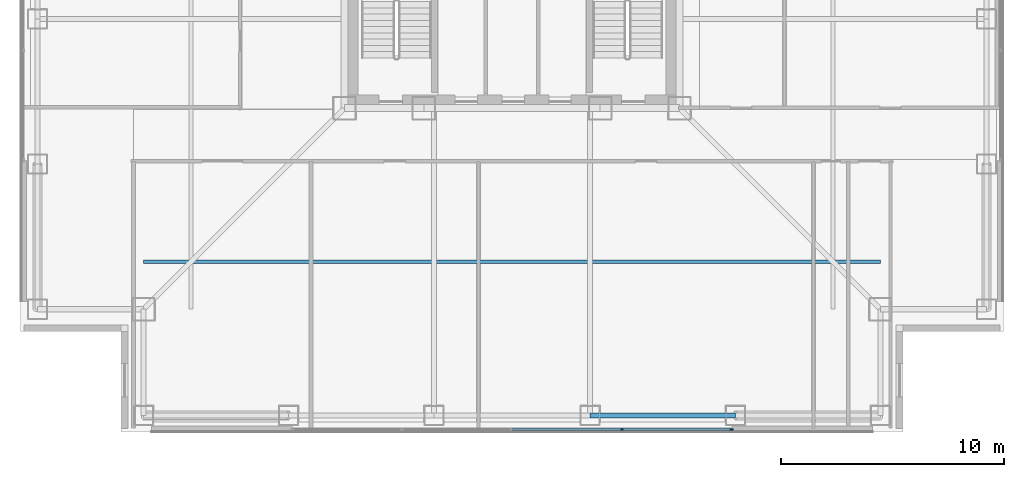
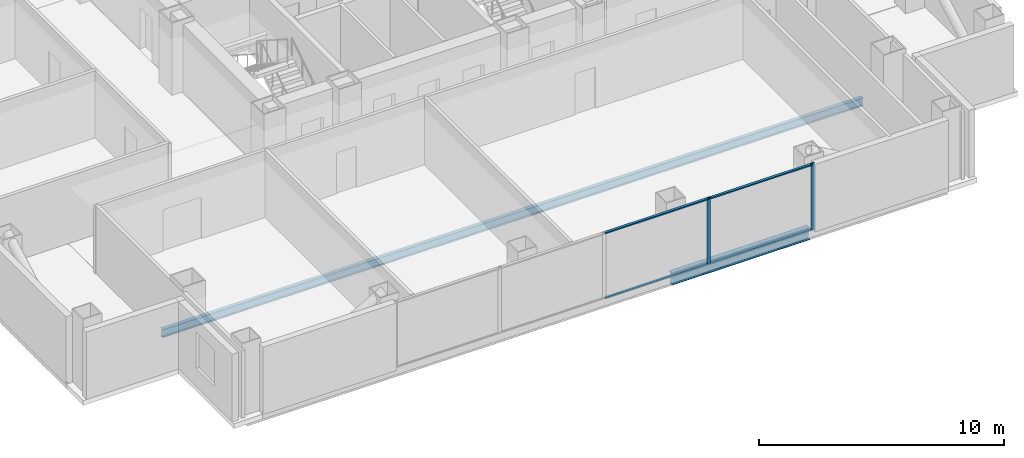
# One storey, part 3 of 16: 6 members, 2 beams, 1 element without a shape of its own.
"""IFC4 building model written with IfcOpenShell, lengths in metres."""

from ifc_helpers import new_model, si_unit, direction, frame, origin, origin_2d, place, context, subcontext, project, spatial, rectangle, i_section, extrude, material, layer, layer_set, material_profile, profile_set, type_object, element, aggregate, save


model = new_model("IFC4")

# Units and contexts
model_context = context("Model", 3, precision=1e-05, world=origin(), true_north=direction((0.0, 1.0)))
body_context = subcontext(model_context, "Body", "Model", "MODEL_VIEW")
ifc_project = project(units=[si_unit("LENGTHUNIT", "METRE"), si_unit("AREAUNIT", "SQUARE_METRE"), si_unit("VOLUMEUNIT", "CUBIC_METRE"), si_unit("PLANEANGLEUNIT", "RADIAN"), si_unit("MASSUNIT", "GRAM", prefix="KILO")], contexts=[model_context])

# Site, building, storey
site_placement = place(None, origin())
site = spatial("IfcSite", under=ifc_project, at=site_placement, CompositionType="ELEMENT")
building_placement = place(site_placement, origin())
building = spatial("IfcBuilding", under=site, at=building_placement, Name="Trevonay Congress Spire", CompositionType="ELEMENT")
storey_placement = place(building_placement, frame((0.0, 0.0, 101.199951171875)))
storey = spatial("IfcBuildingStorey", under=building, at=storey_placement, Name="L25", CompositionType="ELEMENT", Elevation=101.199951171875)

# Beam
ifc_material_1 = material(Name="Steel ASTM A572 Grade 50", Category="steel")
ifc_material_profile_1 = material_profile(ifc_material_1, i_section(OverallWidth=0.22802734375, OverallDepth=0.60791015625, WebThickness=0.01123046875, FlangeThickness=0.017333984375, FilletRadius=0.01611328125, at=origin_2d()), Name="W610x113")
ifc_profile_set_1 = profile_set([ifc_material_profile_1], Name="Steel ASTM A572 Grade 50")
beam_type_1 = type_object("IfcBeamType", Name="BM-RING-W610X113", PredefinedType="BEAM", material=ifc_profile_set_1)
beam_1_placement = place(storey_placement, frame((3.5, -21.25, -0.5439453125), z_axis=(1.0, 0.0, 0.0), x_axis=(0.0, 1.0, 0.0)))
element("IfcBeam", 1, at=beam_1_placement, inside=storey, type_object=beam_type_1, Name="L25 structural beam BM-L25-PS4", PredefinedType="BEAM", context=body_context, shape_type="SweptSolid", body=[
    extrude(i_section(OverallWidth=0.22802734375, OverallDepth=0.60791015625, WebThickness=0.01123046875, FlangeThickness=0.017333984375, FilletRadius=0.01611328125, at=origin_2d()), origin(), (0.0, 0.0, 1.0), 6.5),
])

# Curtain wall, members
ifc_material_2 = material(Name="Pale Anodised Aluminium EN AW-6063-T6", Category="aluminium")
ifc_layer = layer(ifc_material_2, 0.175048828125, Name="Pale Anodised Aluminium EN AW-6063-T6")
ifc_layer_set = layer_set([ifc_layer], Name="Pale Anodised Aluminium EN AW-6063-T6")
curtain_wall_type = type_object("IfcCurtainWallType", Name="CW-SYS03-CONGRESS-PALE-METAL", PredefinedType="NOTDEFINED", material=ifc_layer_set)
curtain_wall_placement = place(storey_placement, origin())
curtain_wall = element("IfcCurtainWall", 2, at=curtain_wall_placement, inside=storey, type_object=curtain_wall_type, Name="L25 S unitised curtain wall", PredefinedType="NOTDEFINED")
ifc_material_profile_2 = material_profile(ifc_material_2, rectangle(XDim=0.06005859375, YDim=0.159912109375, at=origin_2d()), Name="CW-MULLION-160-ALUMINIUM")
ifc_profile_set_2 = profile_set([ifc_material_profile_2], Name="Pale Anodised Aluminium EN AW-6063-T6")
member_type_1 = type_object("IfcMemberType", Name="CW-MULLION-160-ALUMINIUM", PredefinedType="MULLION", material=ifc_profile_set_2)
member_1_placement = place(storey_placement, frame((4.925048828125, -21.8798828125, 0.0), z_axis=(0.0, 0.0, 1.0), x_axis=(0.0, 1.0, 0.0)))
member_1 = element("IfcMember", 3, at=member_1_placement, type_object=member_type_1, Name="CW03 mullion 4", PredefinedType="MULLION", context=body_context, shape_type="SweptSolid", body=[
    extrude(rectangle(XDim=0.06005859375, YDim=0.159912109375, at=origin_2d()), origin(), (0.0, 0.0, 1.0), 3.360107421875),
])
member_2_placement = place(storey_placement, frame((9.820068359375, -21.8798828125, 0.0), z_axis=(0.0, 0.0, 1.0), x_axis=(0.0, 1.0, 0.0)))
member_2 = element("IfcMember", 4, at=member_2_placement, type_object=member_type_1, Name="CW03 mullion 5", PredefinedType="MULLION", context=body_context, shape_type="SweptSolid", body=[
    extrude(rectangle(XDim=0.06005859375, YDim=0.159912109375, at=origin_2d()), origin(), (0.0, 0.0, 1.0), 3.360107421875),
])
ifc_material_profile_3 = material_profile(ifc_material_2, rectangle(XDim=0.1201171875, YDim=0.06005859375, at=origin_2d()), Name="CW-TRANSOM-120-ALUMINIUM")
ifc_profile_set_3 = profile_set([ifc_material_profile_3], Name="Pale Anodised Aluminium EN AW-6063-T6")
member_type_2 = type_object("IfcMemberType", Name="CW-TRANSOM-120-ALUMINIUM", PredefinedType="USERDEFINED", material=ifc_profile_set_3)
member_3_placement = place(storey_placement, frame((0.030029296875, -21.8798828125, 0.06005859375), z_axis=(1.0, 0.0, 0.0), x_axis=(0.0, 1.0, 0.0)))
member_3 = element("IfcMember", 5, at=member_3_placement, type_object=member_type_2, Name="CW03 transom 3.1", ObjectType="TRANSOM", PredefinedType="USERDEFINED", context=body_context, shape_type="SweptSolid", body=[
    extrude(rectangle(XDim=0.1201171875, YDim=0.06005859375, at=origin_2d()), origin(), (0.0, 0.0, 1.0), 4.864990234375),
])
member_4_placement = place(storey_placement, frame((0.030029296875, -21.8798828125, 3.300048828125), z_axis=(1.0, 0.0, 0.0), x_axis=(0.0, 1.0, 0.0)))
member_4 = element("IfcMember", 6, at=member_4_placement, type_object=member_type_2, Name="CW03 transom 3.2", ObjectType="TRANSOM", PredefinedType="USERDEFINED", context=body_context, shape_type="SweptSolid", body=[
    extrude(rectangle(XDim=0.1201171875, YDim=0.06005859375, at=origin_2d()), origin(), (0.0, 0.0, 1.0), 4.864990234375),
])
member_5_placement = place(storey_placement, frame((4.955078125, -21.8798828125, 0.06005859375), z_axis=(1.0, 0.0, 0.0), x_axis=(0.0, 1.0, 0.0)))
member_5 = element("IfcMember", 7, at=member_5_placement, type_object=member_type_2, Name="CW03 transom 4.1", ObjectType="TRANSOM", PredefinedType="USERDEFINED", context=body_context, shape_type="SweptSolid", body=[
    extrude(rectangle(XDim=0.1201171875, YDim=0.06005859375, at=origin_2d()), origin(), (0.0, 0.0, 1.0), 4.8349609375),
])
member_6_placement = place(storey_placement, frame((4.955078125, -21.8798828125, 3.300048828125), z_axis=(1.0, 0.0, 0.0), x_axis=(0.0, 1.0, 0.0)))
member_6 = element("IfcMember", 8, at=member_6_placement, type_object=member_type_2, Name="CW03 transom 4.2", ObjectType="TRANSOM", PredefinedType="USERDEFINED", context=body_context, shape_type="SweptSolid", body=[
    extrude(rectangle(XDim=0.1201171875, YDim=0.06005859375, at=origin_2d()), origin(), (0.0, 0.0, 1.0), 4.8349609375),
])
aggregate(curtain_wall, [member_1, member_2, member_3, member_4, member_5, member_6])

# Beam
ifc_material_profile_4 = material_profile(ifc_material_1, i_section(OverallWidth=0.177978515625, OverallDepth=0.406982421875, WebThickness=0.0078125, FlangeThickness=0.0126953125, FilletRadius=0.012939453125, at=origin_2d()), Name="W410x60")
ifc_profile_set_4 = profile_set([ifc_material_profile_4], Name="Steel ASTM A572 Grade 50")
beam_type_2 = type_object("IfcBeamType", Name="JS-COMP-W410X60", PredefinedType="JOIST", material=ifc_profile_set_4)
beam_2_placement = place(storey_placement, frame((-16.5, -14.375, -0.443359375), z_axis=(1.0, 0.0, 0.0), x_axis=(0.0, 1.0, 0.0)))
element("IfcBeam", 9, at=beam_2_placement, inside=storey, type_object=beam_type_2, Name="L25 structural beam JS-L25-RING-S", PredefinedType="JOIST", context=body_context, shape_type="SweptSolid", body=[
    extrude(i_section(OverallWidth=0.177978515625, OverallDepth=0.406982421875, WebThickness=0.0078125, FlangeThickness=0.0126953125, FilletRadius=0.012939453125, at=origin_2d()), origin(), (0.0, 0.0, 1.0), 33.0),
])

save(model, "model.ifc")
